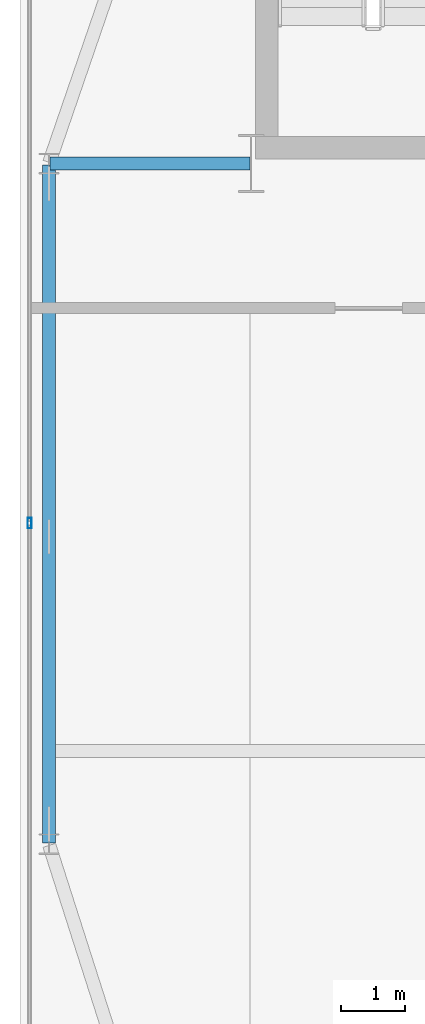
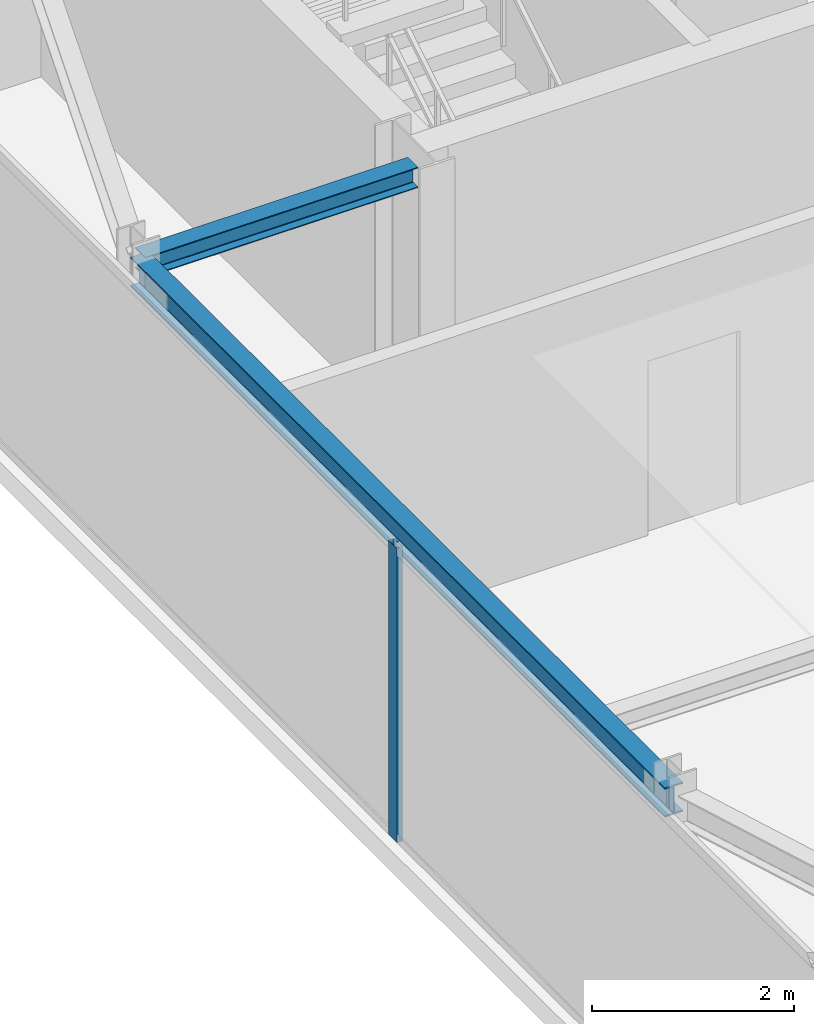
# One storey, part 10 of 24: 2 beams, 1 member, 1 element without a shape of its own.
"""IFC4 building model written with IfcOpenShell, lengths in metres."""

from ifc_helpers import new_model, si_unit, direction, frame, origin, origin_2d, place, context, subcontext, project, spatial, hollow_rectangle, i_section, extrude, source, transform, mapped, material, layer, layer_set, material_profile, profile_set, type_object, type_shapes, element, aggregate, save


model = new_model("IFC4")

# Units and contexts
model_context = context("Model", 3, precision=1e-05, world=origin(), true_north=direction((0.0, 1.0)))
body_context = subcontext(model_context, "Body", "Model", "MODEL_VIEW")
ifc_project = project(units=[si_unit("LENGTHUNIT", "METRE"), si_unit("AREAUNIT", "SQUARE_METRE"), si_unit("VOLUMEUNIT", "CUBIC_METRE"), si_unit("PLANEANGLEUNIT", "RADIAN"), si_unit("MASSUNIT", "GRAM", prefix="KILO")], contexts=[model_context])

# Site, building, storey
site_placement = place(None, origin())
site = spatial("IfcSite", under=ifc_project, at=site_placement, CompositionType="ELEMENT")
building_placement = place(site_placement, origin())
building = spatial("IfcBuilding", under=site, at=building_placement, Name="Varnel Quay Broadcast Tower", CompositionType="ELEMENT")
storey_placement = place(building_placement, frame((0.0, 0.0, 292.60009765625)))
storey = spatial("IfcBuildingStorey", under=building, at=storey_placement, Name="L73", CompositionType="ELEMENT", Elevation=292.60009765625)

# Beams
ifc_material_1 = material(Name="Structural Steel CSA G40.21 350W", Category="steel")
ifc_material_profile_1 = material_profile(ifc_material_1, i_section(OverallWidth=0.205078125, OverallDepth=0.35400390625, WebThickness=0.009521484375, FlangeThickness=0.016845703125, FilletRadius=0.012939453125, at=origin_2d()), Name="W360X79")
ifc_profile_set_1 = profile_set([ifc_material_profile_1], Name="Structural Steel CSA G40.21 350W")
beam_type_1 = type_object("IfcBeamType", Name="Beam_W360X79", PredefinedType="SPANDREL", material=ifc_profile_set_1)
shared_shape_1 = source(origin(), body_context, "Body", "SweptSolid", [
    extrude(i_section(OverallWidth=0.205078125, OverallDepth=0.35400390625, WebThickness=0.009521484375, FlangeThickness=0.016845703125, FilletRadius=0.012939453125, at=origin_2d()), origin(), (0.0, 0.0, 1.0), 10.56005859375),
])
type_shapes(beam_type_1, [shared_shape_1])
beam_1_placement = place(storey_placement, frame((12.449951171875, 25.02001953125, 3.372802734375), z_axis=(0.0, 1.0, 0.0), x_axis=(-1.0, 0.0, 0.0)))
element("IfcBeam", 1, at=beam_1_placement, inside=storey, type_object=beam_type_1, Name="L73 West Spandrel TC-W1-TC-W2", PredefinedType="SPANDREL", context=body_context, shape_type="MappedRepresentation", body=[
    mapped(shared_shape_1, transform((0.0, 0.0, 0.0), x_axis=(1.0, 0.0, 0.0), y_axis=(0.0, 1.0, 0.0), z_axis=(0.0, 0.0, 1.0), scale=1.0)),
])
ifc_material_profile_2 = material_profile(ifc_material_1, i_section(OverallWidth=0.201904296875, OverallDepth=0.2470703125, WebThickness=0.00732421875, FlangeThickness=0.010986328125, FilletRadius=0.010986328125, at=origin_2d()), Name="W250X49")
ifc_profile_set_2 = profile_set([ifc_material_profile_2], Name="Structural Steel CSA G40.21 350W")
beam_type_2 = type_object("IfcBeamType", Name="Beam_W250X49", PredefinedType="JOIST", material=ifc_profile_set_2)
shared_shape_2 = source(origin(), body_context, "Body", "SweptSolid", [
    extrude(i_section(OverallWidth=0.201904296875, OverallDepth=0.2470703125, WebThickness=0.00732421875, FlangeThickness=0.010986328125, FilletRadius=0.010986328125, at=origin_2d()), origin(), (0.0, 0.0, 1.0), 3.110107421875),
])
type_shapes(beam_type_2, [shared_shape_2])
beam_2_placement = place(storey_placement, frame((12.469970703125, 35.60009765625, 3.426513671875), z_axis=(1.0, 0.0, 0.0), x_axis=(0.0, 1.0, 0.0)))
element("IfcBeam", 2, at=beam_2_placement, inside=storey, type_object=beam_type_2, Name="L73 West Core Tie Joist", PredefinedType="JOIST", context=body_context, shape_type="MappedRepresentation", body=[
    mapped(shared_shape_2, transform((0.0, 0.0, 0.0), x_axis=(1.0, 0.0, 0.0), y_axis=(0.0, 1.0, 0.0), z_axis=(0.0, 0.0, 1.0), scale=1.0)),
])

# Curtain wall, member
ifc_material_2 = material(Name="Anodised Bronze Aluminium 6063-T6", Category="aluminium")
ifc_layer = layer(ifc_material_2, 0.18994140625, Name="Anodised Bronze Aluminium 6063-T6")
ifc_layer_set = layer_set([ifc_layer], Name="Anodised Bronze Aluminium 6063-T6")
curtain_wall_type = type_object("IfcCurtainWallType", Name="CW_UpperTower", PredefinedType="NOTDEFINED", material=ifc_layer_set)
curtain_wall_placement = place(storey_placement, origin())
curtain_wall = element("IfcCurtainWall", 3, at=curtain_wall_placement, inside=storey, type_object=curtain_wall_type, Name="L73 West Unitised Curtain Wall", PredefinedType="NOTDEFINED")
ifc_material_profile_3 = material_profile(ifc_material_2, hollow_rectangle(XDim=0.06494140625, YDim=0.1650390625, WallThickness=0.00341796875, at=origin_2d()), Name="ALU65X165X3.5")
ifc_profile_set_3 = profile_set([ifc_material_profile_3], Name="Anodised Bronze Aluminium 6063-T6")
member_type = type_object("IfcMemberType", Name="Mull_CWS-03", PredefinedType="MULLION", material=ifc_profile_set_3)
shared_shape_3 = source(origin(), body_context, "Body", "SweptSolid", [
    extrude(hollow_rectangle(XDim=0.06494140625, YDim=0.1650390625, WallThickness=0.00341796875, at=origin_2d()), origin(), (0.0, 0.0, 1.0), 3.5498046875),
])
type_shapes(member_type, [shared_shape_3])
member_placement = place(storey_placement, frame((12.14990234375, 30.0, 0.0), z_axis=(0.0, 0.0, 1.0), x_axis=(-1.0, 0.0, 0.0)))
member = element("IfcMember", 4, at=member_placement, type_object=member_type, Name="CWS-03 mullion 2", PredefinedType="MULLION", context=body_context, shape_type="MappedRepresentation", body=[
    mapped(shared_shape_3, transform((0.0, 0.0, 0.0), x_axis=(1.0, 0.0, 0.0), y_axis=(0.0, 1.0, 0.0), z_axis=(0.0, 0.0, 1.0), scale=1.0)),
])
aggregate(curtain_wall, [member])

save(model, "model.ifc")
